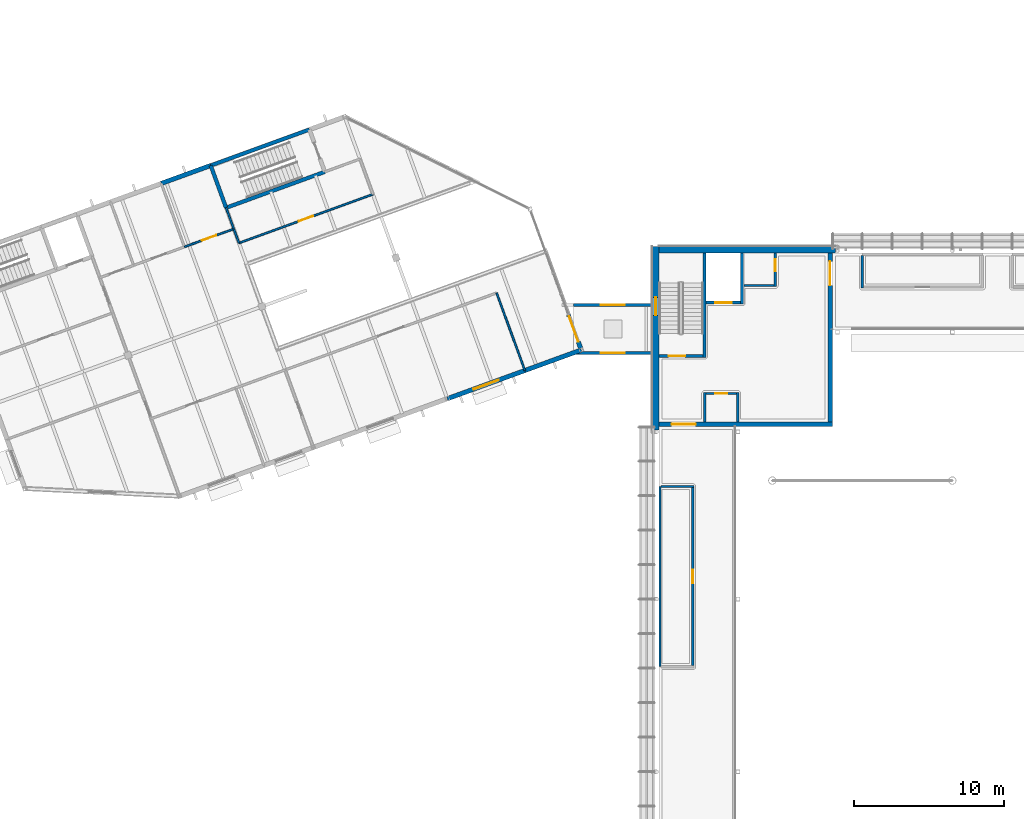
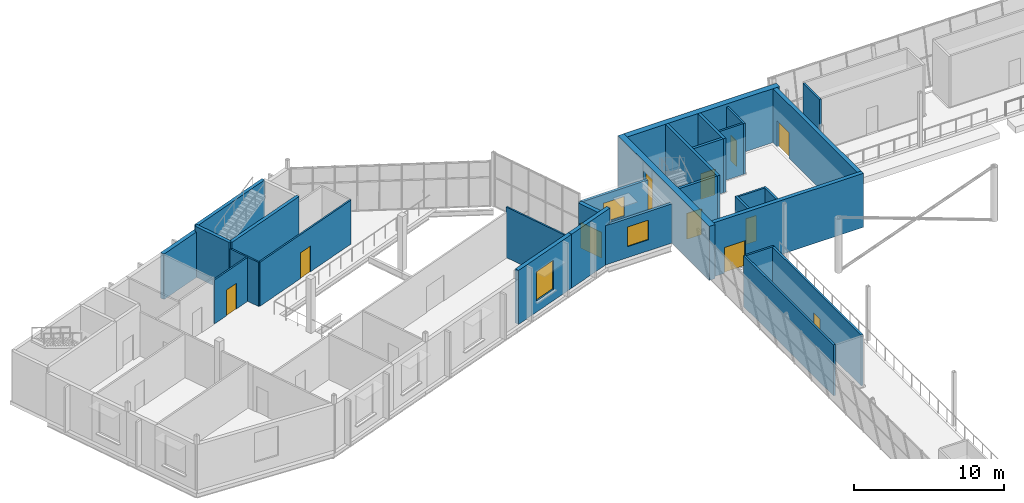
# One storey, part 71 of 115: 31 walls, 10 doors, 4 windows, 14 openings.
"""IFC4 building model written with IfcOpenShell, lengths in metres."""

from ifc_helpers import new_model, si_unit, direction, frame, frame_2d, origin, place, context, subcontext, project, spatial, rectangle, extrude, material, layer, layer_set, type_object, element, fill, save


model = new_model("IFC4")

# Units and contexts
model_context = context("Model", 3, precision=1e-05, world=origin(), true_north=direction((0.0, 1.0)))
body_context = subcontext(model_context, "Body", "Model", "MODEL_VIEW")
ifc_project = project(units=[si_unit("LENGTHUNIT", "METRE"), si_unit("AREAUNIT", "SQUARE_METRE"), si_unit("VOLUMEUNIT", "CUBIC_METRE"), si_unit("PLANEANGLEUNIT", "RADIAN"), si_unit("MASSUNIT", "GRAM", prefix="KILO")], contexts=[model_context])

# Site, building, storey
site_placement = place(None, origin())
site = spatial("IfcSite", under=ifc_project, at=site_placement, CompositionType="ELEMENT")
building_placement = place(site_placement, origin())
building = spatial("IfcBuilding", under=site, at=building_placement, Name="Windward Yard Aquatics Centre", CompositionType="ELEMENT")
storey_placement = place(building_placement, frame((0.0, 0.0, 5.0)))
storey = spatial("IfcBuildingStorey", under=building, at=storey_placement, Name="L01", CompositionType="ELEMENT", Elevation=5.0)

# Wall, opening, window
ifc_material_1 = material(Name="Concrete C35/45", Category="concrete")
ifc_layer_1 = layer(ifc_material_1, 0.199951171875)
ifc_layer_set_1 = layer_set([ifc_layer_1], Name="C link side wall 200")
wall_type_1 = type_object("IfcWallType", Name="C link side wall 200", PredefinedType="ELEMENTEDWALL", material=ifc_layer_set_1)
wall_1_placement = place(storey_placement, frame((46.765380859375, 92.10009765625, 0.0), z_axis=(0.0, 0.0, 1.0), x_axis=(1.0, 0.0, 0.0)))
wall_1 = element("IfcWall", 1, at=wall_1_placement, inside=storey, type_object=wall_type_1, Name="C.W.X.V3V1.L01.N", PredefinedType="ELEMENTEDWALL", context=body_context, shape_type="SweptSolid", body=[
    extrude(rectangle(XDim=5.234619140625, YDim=0.199951171875, at=frame_2d((2.6171875, 0.0))), origin(), (0.0, 0.0, 1.0), 3.199951171875),
])
opening_1_placement = place(wall_1_placement, frame((1.8173828125, 0.0, 0.89990234375)))
opening_1 = element("IfcOpeningElement", 2, at=opening_1_placement, cuts=wall_1, Name="Opening CW1043", PredefinedType="OPENING", context=body_context, shape_type="SweptSolid", body=[
    extrude(rectangle(XDim=1.60009765625, YDim=1.60009765625, at=frame_2d((0.800048828125, 0.800048828125))), frame((0.0, 0.10986328125, 0.0), z_axis=(0.0, -1.0, 0.0), x_axis=(1.0, 0.0, 0.0)), (0.0, 0.0, 1.0), 0.219970703125),
])
ifc_material_2 = material(Name="Aluminium framed double glazing", Category="aluminium")
window_type_1 = type_object("IfcWindowType", Name="C window 1600X1600", PartitioningType="SINGLE_PANEL", PredefinedType="WINDOW", material=ifc_material_2)
window_1_placement = place(opening_1_placement, origin())
window_1 = element("IfcWindow", 3, at=window_1_placement, inside=storey, type_object=window_type_1, Name="Window CW1043", OverallHeight=1.60009765625, OverallWidth=1.60009765625, PartitioningType="SINGLE_PANEL", PredefinedType="WINDOW", context=body_context, shape_type="SweptSolid", body=[
    extrude(rectangle(XDim=1.60009765625, YDim=1.60009765625, at=frame_2d((0.800048828125, 0.800048828125))), frame((0.0, 0.030029296875, 0.0), z_axis=(0.0, -1.0, 0.0), x_axis=(1.0, 0.0, 0.0)), (0.0, 0.0, 1.0), 0.06005859375),
])
fill(opening_1, window_1)

wall_2_placement = place(storey_placement, frame((46.765380859375, 88.89990234375, 0.0), z_axis=(0.0, 0.0, 1.0), x_axis=(1.0, 0.0, 0.0)))
wall_2 = element("IfcWall", 4, at=wall_2_placement, inside=storey, type_object=wall_type_1, Name="C.W.X.V3V1.L01.S", PredefinedType="ELEMENTEDWALL", context=body_context, shape_type="SweptSolid", body=[
    extrude(rectangle(XDim=5.234619140625, YDim=0.199951171875, at=frame_2d((2.6171875, 0.0))), origin(), (0.0, 0.0, 1.0), 3.199951171875),
])
opening_2_placement = place(wall_2_placement, frame((1.8173828125, 0.0, 0.89990234375)))
opening_2 = element("IfcOpeningElement", 5, at=opening_2_placement, cuts=wall_2, Name="Opening CW1044", PredefinedType="OPENING", context=body_context, shape_type="SweptSolid", body=[
    extrude(rectangle(XDim=1.60009765625, YDim=1.60009765625, at=frame_2d((0.800048828125, 0.800048828125))), frame((0.0, 0.10986328125, 0.0), z_axis=(0.0, -1.0, 0.0), x_axis=(1.0, 0.0, 0.0)), (0.0, 0.0, 1.0), 0.219970703125),
])
window_2_placement = place(opening_2_placement, origin())
window_2 = element("IfcWindow", 6, at=window_2_placement, inside=storey, type_object=window_type_1, Name="Window CW1044", OverallHeight=1.60009765625, OverallWidth=1.60009765625, PartitioningType="SINGLE_PANEL", PredefinedType="WINDOW", context=body_context, shape_type="SweptSolid", body=[
    extrude(rectangle(XDim=1.60009765625, YDim=1.60009765625, at=frame_2d((0.800048828125, 0.800048828125))), frame((0.0, 0.030029296875, 0.0), z_axis=(0.0, -1.0, 0.0), x_axis=(1.0, 0.0, 0.0)), (0.0, 0.0, 1.0), 0.06005859375),
])
fill(opening_2, window_2)

# Walls
ifc_material_3 = material(Name="Concrete C40/50", Category="concrete")
ifc_layer_2 = layer(ifc_material_3, 0.25)
ifc_layer_set_2 = layer_set([ifc_layer_2], Name="F core wall 250 Concrete C40/50")
wall_type_2 = type_object("IfcWallType", Name="F core wall 250 Concrete C40/50", PredefinedType="SOLIDWALL", material=ifc_layer_set_2)
wall_3_placement = place(storey_placement, frame((23.60595703125, 98.577880859375, 0.0), z_axis=(0.0, 0.0, 1.0), x_axis=(-0.342037080957, 0.939686455819, 0.0)))
element("IfcWall", 7, at=wall_3_placement, inside=storey, type_object=wall_type_2, Name="F.WL.L01.C05", PredefinedType="SOLIDWALL", context=body_context, shape_type="SweptSolid", body=[
    extrude(rectangle(XDim=3.0, YDim=0.25, at=frame_2d((1.5, 0.0))), origin(), (0.0, 0.0, 1.0), 4.1201171875),
])
wall_4_placement = place(storey_placement, frame((23.60595703125, 98.577880859375, 0.0), z_axis=(0.0, 0.0, 1.0), x_axis=(0.939693585395, 0.342017493073, 0.0)))
element("IfcWall", 8, at=wall_4_placement, inside=storey, type_object=wall_type_2, Name="F.WL.L01.C06", PredefinedType="SOLIDWALL", context=body_context, shape_type="SweptSolid", body=[
    extrude(rectangle(XDim=6.999755859375, YDim=0.25, at=frame_2d((3.5, 0.0))), origin(), (0.0, 0.0, 1.0), 4.1201171875),
])
wall_5_placement = place(storey_placement, frame((29.15771484375, 103.791015625, 0.0), z_axis=(0.0, 0.0, 1.0), x_axis=(-0.939697665127, -0.342006283793, 0.0)))
element("IfcWall", 9, at=wall_5_placement, inside=storey, type_object=wall_type_2, Name="F.WL.L01.X01", PredefinedType="SOLIDWALL", context=body_context, shape_type="SweptSolid", body=[
    extrude(rectangle(XDim=7.0, YDim=0.25, at=frame_2d((3.5, 0.0))), origin(), (0.0, 0.0, 1.0), 4.1201171875),
])

# Wall, opening, door
ifc_material_4 = material(Name="Gypsum board on steel studs", Category="steel")
ifc_layer_3 = layer(ifc_material_4, 0.125)
ifc_layer_set_3 = layer_set([ifc_layer_3], Name="F partition 125 gypsum board")
wall_type_3 = type_object("IfcWallType", Name="F partition 125 gypsum board", PredefinedType="PARTITIONING", material=ifc_layer_set_3)
wall_6_placement = place(storey_placement, frame((20.830078125, 95.97119140625, 0.0), z_axis=(0.0, 0.0, 1.0), x_axis=(0.939693585395, 0.342017493073, 0.0)))
wall_6 = element("IfcWall", 10, at=wall_6_placement, inside=storey, type_object=wall_type_3, Name="F.WL.L01.P014", PredefinedType="PARTITIONING", context=body_context, shape_type="SweptSolid", body=[
    extrude(rectangle(XDim=3.5, YDim=0.125, at=frame_2d((1.75, 0.0))), origin(), (0.0, 0.0, 1.0), 3.5869140625),
])
opening_3_placement = place(wall_6_placement, frame((1.25, 0.0, 0.0)))
opening_3 = element("IfcOpeningElement", 11, at=opening_3_placement, cuts=wall_6, Name="Opening F1011", PredefinedType="OPENING", context=body_context, shape_type="SweptSolid", body=[
    extrude(rectangle(XDim=1.0, YDim=2.10009765625, at=frame_2d((0.5, 1.050048828125))), frame((0.0, 0.072509765625, 0.0), z_axis=(0.0, -1.0, 0.0), x_axis=(1.0, 0.0, 0.0)), (0.0, 0.0, 1.0), 0.14501953125),
])
ifc_material_5 = material(Name="Timber, painted", Category="wood")
door_type_1 = type_object("IfcDoorType", Name="F door 1000x2100 timber", OperationType="SINGLE_SWING_LEFT", PredefinedType="DOOR", material=ifc_material_5)
door_1_placement = place(opening_3_placement, origin())
door_1 = element("IfcDoor", 12, at=door_1_placement, inside=storey, type_object=door_type_1, Name="WC Men door F1011", OperationType="SINGLE_SWING_RIGHT", OverallHeight=2.10009765625, OverallWidth=1.0, PredefinedType="DOOR", context=body_context, shape_type="SweptSolid", body=[
    extrude(rectangle(XDim=1.0, YDim=2.10009765625, at=frame_2d((0.5, 1.050048828125))), frame((0.0, 0.02490234375, 0.0), z_axis=(0.0, -1.0, 0.0), x_axis=(1.0, 0.0, 0.0)), (0.0, 0.0, 1.0), 0.050048828125),
])
fill(opening_3, door_1)

# Wall
wall_7_placement = place(storey_placement, frame((24.4609375, 96.228515625, 0.0), z_axis=(0.0, 0.0, 1.0), x_axis=(-0.342037080957, 0.939686455819, 0.0)))
element("IfcWall", 13, at=wall_7_placement, inside=storey, type_object=wall_type_3, Name="F.WL.L01.P016", PredefinedType="PARTITIONING", context=body_context, shape_type="SweptSolid", body=[
    extrude(rectangle(XDim=1.0, YDim=0.125, at=frame_2d((0.5, 0.0))), origin(), (0.0, 0.0, 1.0), 3.5869140625),
])

# Wall, opening, door
wall_8_placement = place(storey_placement, frame((24.4609375, 96.228515625, 0.0), z_axis=(0.0, 0.0, 1.0), x_axis=(0.939689082478, 0.342029864589, 0.0)))
wall_8 = element("IfcWall", 14, at=wall_8_placement, inside=storey, type_object=wall_type_3, Name="F.WL.L01.P017", PredefinedType="PARTITIONING", context=body_context, shape_type="SweptSolid", body=[
    extrude(rectangle(XDim=9.5, YDim=0.125, at=frame_2d((4.75, 0.0))), origin(), (0.0, 0.0, 1.0), 3.5869140625),
])
opening_4_placement = place(wall_8_placement, frame((4.25, 0.0, 0.0)))
opening_4 = element("IfcOpeningElement", 15, at=opening_4_placement, cuts=wall_8, Name="Opening F1013", PredefinedType="OPENING", context=body_context, shape_type="SweptSolid", body=[
    extrude(rectangle(XDim=1.0, YDim=2.10009765625, at=frame_2d((0.5, 1.050048828125))), frame((0.0, 0.072509765625, 0.0), z_axis=(0.0, -1.0, 0.0), x_axis=(1.0, 0.0, 0.0)), (0.0, 0.0, 1.0), 0.14501953125),
])
door_2_placement = place(opening_4_placement, origin())
door_2 = element("IfcDoor", 16, at=door_2_placement, inside=storey, type_object=door_type_1, Name="Community Room 4 door F1013", OperationType="SINGLE_SWING_RIGHT", OverallHeight=2.10009765625, OverallWidth=1.0, PredefinedType="DOOR", context=body_context, shape_type="SweptSolid", body=[
    extrude(rectangle(XDim=1.0, YDim=2.10009765625, at=frame_2d((0.5, 1.050048828125))), frame((0.0, 0.02490234375, 0.0), z_axis=(0.0, -1.0, 0.0), x_axis=(1.0, 0.0, 0.0)), (0.0, 0.0, 1.0), 0.050048828125),
])
fill(opening_4, door_2)

# Walls
wall_9_placement = place(storey_placement, frame((24.118896484375, 97.168212890625, 0.0), z_axis=(0.0, 0.0, 1.0), x_axis=(-0.341939069183, 0.9397221254, 0.0)))
element("IfcWall", 17, at=wall_9_placement, inside=storey, type_object=wall_type_3, Name="F.WL.L01.P018", PredefinedType="PARTITIONING", context=body_context, shape_type="SweptSolid", body=[
    extrude(rectangle(XDim=1.5, YDim=0.125, at=frame_2d((0.75, 0.0))), origin(), (0.0, 0.0, 1.0), 3.5869140625),
])
wall_10_placement = place(storey_placement, frame((43.515625, 87.7333984375, 0.0), z_axis=(0.0, 0.0, 1.0), x_axis=(-0.34202461616, 0.939690992795, 0.0)))
element("IfcWall", 18, at=wall_10_placement, inside=storey, type_object=wall_type_3, Name="F.WL.L01.P021", PredefinedType="PARTITIONING", context=body_context, shape_type="SweptSolid", body=[
    extrude(rectangle(XDim=5.5, YDim=0.125, at=frame_2d((2.75, 0.0))), origin(), (0.0, 0.0, 1.0), 4.1201171875),
])

# Wall, opening, window
ifc_material_6 = material(Name="Natural stone cladding", Category="masonry")
ifc_layer_4 = layer(ifc_material_6, 0.04, Name="Cladding")
ifc_material_7 = material(Name="Ventilated air cavity")
ifc_layer_5 = layer(ifc_material_7, 0.04, ventilated=True, Name="Ventilated cavity")
ifc_material_8 = material(Name="Mineral wool insulation")
ifc_layer_6 = layer(ifc_material_8, 0.06, Name="Insulation")
ifc_layer_7 = layer(ifc_material_3, 0.16, Name="Structure")
ifc_layer_set_4 = layer_set([ifc_layer_4, ifc_layer_5, ifc_layer_6, ifc_layer_7], Name="F stone-faced infill wall 300 Concrete C40/50")
wall_type_4 = type_object("IfcWallType", Name="F stone-faced infill wall 300 Concrete C40/50", PredefinedType="ELEMENTEDWALL", material=ifc_layer_set_4)
wall_11_placement = place(storey_placement, frame((38.347412109375, 85.852294921875, 0.0), z_axis=(0.0, 0.0, 1.0), x_axis=(0.939690992795, 0.34202461616, 0.0)))
wall_11 = element("IfcWall", 19, at=wall_11_placement, inside=storey, type_object=wall_type_4, Name="F.WL.L01.E05", PredefinedType="ELEMENTEDWALL", context=body_context, shape_type="SweptSolid", body=[
    extrude(rectangle(XDim=5.5, YDim=0.300048828125, at=frame_2d((2.75, 0.0))), origin(), (0.0, 0.0, 1.0), 4.39990234375),
])
opening_5_placement = place(wall_11_placement, frame((1.85009765625, 0.0, 0.89990234375)))
opening_5 = element("IfcOpeningElement", 20, at=opening_5_placement, cuts=wall_11, Name="Opening F1105", PredefinedType="OPENING", context=body_context, shape_type="SweptSolid", body=[
    extrude(rectangle(XDim=1.800048828125, YDim=2.39990234375, at=frame_2d((0.89990234375, 1.199951171875))), frame((0.0, 0.16015625, 0.0), z_axis=(0.0, -1.0, 0.0), x_axis=(1.0, 0.0, 0.0)), (0.0, 0.0, 1.0), 0.320068359375),
])
ifc_material_9 = material(Name="Aluminium frame with double glazing", Category="aluminium")
window_type_2 = type_object("IfcWindowType", Name="F window 1800x2400 double glazed", PartitioningType="SINGLE_PANEL", PredefinedType="WINDOW", material=ifc_material_9)
window_3_placement = place(opening_5_placement, origin())
window_3 = element("IfcWindow", 21, at=window_3_placement, inside=storey, type_object=window_type_2, Name="Window F1105", OverallHeight=2.39990234375, OverallWidth=1.800048828125, PartitioningType="SINGLE_PANEL", PredefinedType="WINDOW", context=body_context, shape_type="SweptSolid", body=[
    extrude(rectangle(XDim=1.800048828125, YDim=2.39990234375, at=frame_2d((0.89990234375, 1.199951171875))), frame((0.0, 0.030029296875, 0.0), z_axis=(0.0, -1.0, 0.0), x_axis=(1.0, 0.0, 0.0)), (0.0, 0.0, 1.0), 0.06005859375),
])
fill(opening_5, window_3)

# Walls
wall_12_placement = place(storey_placement, frame((43.515625, 87.7333984375, 0.0), z_axis=(0.0, 0.0, 1.0), x_axis=(0.939686455819, 0.342037080957, 0.0)))
element("IfcWall", 22, at=wall_12_placement, inside=storey, type_object=wall_type_4, Name="F.WL.L01.E06", PredefinedType="ELEMENTEDWALL", context=body_context, shape_type="SweptSolid", body=[
    extrude(rectangle(XDim=4.0, YDim=0.300048828125, at=frame_2d((2.0, 0.0))), origin(), (0.0, 0.0, 1.0), 4.39990234375),
])
wall_13_placement = place(storey_placement, frame((22.579833984375, 101.39697265625, 0.0), z_axis=(0.0, 0.0, 1.0), x_axis=(-0.939693585395, -0.342017493073, 0.0)))
element("IfcWall", 23, at=wall_13_placement, inside=storey, type_object=wall_type_4, Name="F.WL.L01.E08", PredefinedType="ELEMENTEDWALL", context=body_context, shape_type="SweptSolid", body=[
    extrude(rectangle(XDim=3.5, YDim=0.300048828125, at=frame_2d((1.75, 0.0))), origin(), (0.0, 0.0, 1.0), 3.702880859375),
])

# Wall, opening, door
wall_14_placement = place(storey_placement, frame((47.23095703125, 89.220703125, 0.0), z_axis=(0.0, 0.0, 1.0), x_axis=(-0.342008689597, 0.939696789523, 0.0)))
wall_14 = element("IfcWall", 24, at=wall_14_placement, inside=storey, type_object=wall_type_4, Name="F.WL.L01.BR", PredefinedType="ELEMENTEDWALL", context=body_context, shape_type="SweptSolid", body=[
    extrude(rectangle(XDim=2.361328125, YDim=0.300048828125, at=frame_2d((1.1806640625, 0.0))), origin(), (0.0, 0.0, 1.0), 3.702880859375),
])
opening_6_placement = place(wall_14_placement, frame((0.46142578125, 0.0, 0.0)))
opening_6 = element("IfcOpeningElement", 25, at=opening_6_placement, cuts=wall_14, Name="Opening F1001", PredefinedType="OPENING", context=body_context, shape_type="SweptSolid", body=[
    extrude(rectangle(XDim=1.800048828125, YDim=2.10009765625, at=frame_2d((0.89990234375, 1.050048828125))), frame((0.0, 0.16015625, 0.0), z_axis=(0.0, -1.0, 0.0), x_axis=(1.0, 0.0, 0.0)), (0.0, 0.0, 1.0), 0.320068359375),
])
ifc_material_10 = material(Name="Aluminium and toughened glass", Category="aluminium")
door_type_2 = type_object("IfcDoorType", Name="F glazed door 1800x2100 aluminium", OperationType="SINGLE_SWING_LEFT", PredefinedType="DOOR", material=ifc_material_10)
door_3_placement = place(opening_6_placement, origin())
door_3 = element("IfcDoor", 26, at=door_3_placement, inside=storey, type_object=door_type_2, Name="Bridge door F1001", OperationType="DOUBLE_DOOR_SINGLE_SWING", OverallHeight=2.10009765625, OverallWidth=1.800048828125, PredefinedType="DOOR", context=body_context, shape_type="SweptSolid", body=[
    extrude(rectangle(XDim=1.800048828125, YDim=2.10009765625, at=frame_2d((0.89990234375, 1.050048828125))), frame((0.0, 0.02490234375, 0.0), z_axis=(0.0, -1.0, 0.0), x_axis=(1.0, 0.0, 0.0)), (0.0, 0.0, 1.0), 0.050048828125),
])
fill(opening_6, door_3)

# Wall
ifc_layer_8 = layer(ifc_material_1, 0.199951171875)
ifc_layer_set_5 = layer_set([ifc_layer_8], Name="H Enclosure Wall Concrete C35/45 200")
wall_type_5 = type_object("IfcWallType", Name="H Enclosure Wall Concrete C35/45 200", PredefinedType="SOLIDWALL", material=ifc_layer_set_5)
wall_15_placement = place(storey_placement, frame((55.5, 95.550048828125, 0.0), z_axis=(0.0, 0.0, 1.0), x_axis=(0.0, -1.0, 0.0)))
element("IfcWall", 27, at=wall_15_placement, inside=storey, type_object=wall_type_5, Name="L01 W1 enclosure wall NW", PredefinedType="SOLIDWALL", context=body_context, shape_type="SweptSolid", body=[
    extrude(rectangle(XDim=6.949951171875, YDim=0.199951171875, at=frame_2d((3.47509765625, 0.0))), origin(), (0.0, 0.0, 1.0), 4.39990234375),
])

# Wall, opening, door
wall_16_placement = place(storey_placement, frame((52.449951171875, 88.699951171875, 0.0), z_axis=(0.0, 0.0, 1.0), x_axis=(1.0, 0.0, 0.0)))
wall_16 = element("IfcWall", 28, at=wall_16_placement, inside=storey, type_object=wall_type_5, Name="L01 W2 enclosure wall NW", PredefinedType="SOLIDWALL", context=body_context, shape_type="SweptSolid", body=[
    extrude(rectangle(XDim=2.949951171875, YDim=0.199951171875, at=frame_2d((1.47509765625, 0.0))), origin(), (0.0, 0.0, 1.0), 4.39990234375),
])
opening_7_placement = place(wall_16_placement, frame((0.64990234375, 0.0, 0.0)))
opening_7 = element("IfcOpeningElement", 29, at=opening_7_placement, cuts=wall_16, Name="Opening H1013", PredefinedType="OPENING", context=body_context, shape_type="SweptSolid", body=[
    extrude(rectangle(XDim=1.10009765625, YDim=2.10009765625, at=frame_2d((0.550048828125, 1.050048828125))), frame((0.0, 0.10986328125, 0.0), z_axis=(0.0, -1.0, 0.0), x_axis=(1.0, 0.0, 0.0)), (0.0, 0.0, 1.0), 0.219970703125),
])
ifc_material_11 = material(Name="Steel and timber door leaf", Category="steel")
door_type_3 = type_object("IfcDoorType", Name="H Door Single 1100 x 2100 FD60", OperationType="NOTDEFINED", PredefinedType="DOOR", material=ifc_material_11)
door_4_placement = place(opening_7_placement, origin())
door_4 = element("IfcDoor", 30, at=door_4_placement, inside=storey, type_object=door_type_3, Name="L01 stair NW door", OperationType="SINGLE_SWING_LEFT", OverallHeight=2.10009765625, OverallWidth=1.10009765625, PredefinedType="DOOR", context=body_context, shape_type="SweptSolid", body=[
    extrude(rectangle(XDim=1.10009765625, YDim=2.10009765625, at=frame_2d((0.550048828125, 1.050048828125))), frame((0.0, 0.02490234375, 0.0), z_axis=(0.0, -1.0, 0.0), x_axis=(1.0, 0.0, 0.0)), (0.0, 0.0, 1.0), 0.050048828125),
])
fill(opening_7, door_4)

# Wall
wall_17_placement = place(storey_placement, frame((58.0, 95.550048828125, 0.0), z_axis=(0.0, 0.0, 1.0), x_axis=(0.0, -1.0, 0.0)))
element("IfcWall", 31, at=wall_17_placement, inside=storey, type_object=wall_type_5, Name="L01 W3 enclosure wall NW", PredefinedType="SOLIDWALL", context=body_context, shape_type="SweptSolid", body=[
    extrude(rectangle(XDim=3.400146484375, YDim=0.199951171875, at=frame_2d((1.7001953125, 0.0))), origin(), (0.0, 0.0, 1.0), 4.39990234375),
])

# Wall, opening, door
wall_18_placement = place(storey_placement, frame((55.60009765625, 92.25, 0.0), z_axis=(0.0, 0.0, 1.0), x_axis=(1.0, 0.0, 0.0)))
wall_18 = element("IfcWall", 32, at=wall_18_placement, inside=storey, type_object=wall_type_5, Name="L01 W4 enclosure wall NW", PredefinedType="SOLIDWALL", context=body_context, shape_type="SweptSolid", body=[
    extrude(rectangle(XDim=2.2998046875, YDim=0.199951171875, at=frame_2d((1.14990234375, 0.0))), origin(), (0.0, 0.0, 1.0), 4.39990234375),
])
opening_8_placement = place(wall_18_placement, frame((0.60009765625, 0.0, 0.0)))
opening_8 = element("IfcOpeningElement", 33, at=opening_8_placement, cuts=wall_18, Name="Opening H1014", PredefinedType="OPENING", context=body_context, shape_type="SweptSolid", body=[
    extrude(rectangle(XDim=1.10009765625, YDim=2.10009765625, at=frame_2d((0.550048828125, 1.050048828125))), frame((0.0, 0.10986328125, 0.0), z_axis=(0.0, -1.0, 0.0), x_axis=(1.0, 0.0, 0.0)), (0.0, 0.0, 1.0), 0.219970703125),
])
ifc_material_12 = material(Name="Stainless steel 1.4301", Category="steel")
door_type_4 = type_object("IfcDoorType", Name="H Lift Landing Door 1100 x 2100", OperationType="DOUBLE_DOOR_SLIDING", PredefinedType="DOOR", material=ifc_material_12)
door_5_placement = place(opening_8_placement, origin())
door_5 = element("IfcDoor", 34, at=door_5_placement, inside=storey, type_object=door_type_4, Name="Lift NW landing door L01", OperationType="DOUBLE_DOOR_SLIDING", OverallHeight=2.10009765625, OverallWidth=1.10009765625, PredefinedType="DOOR", context=body_context, shape_type="SweptSolid", body=[
    extrude(rectangle(XDim=1.10009765625, YDim=2.10009765625, at=frame_2d((0.550048828125, 1.050048828125))), frame((0.0, 0.02490234375, 0.0), z_axis=(0.0, -1.0, 0.0), x_axis=(1.0, 0.0, 0.0)), (0.0, 0.0, 1.0), 0.050048828125),
])
fill(opening_8, door_5)

# Wall
ifc_material_13 = material(Name="Blockwork 150 mm", Category="masonry")
ifc_layer_9 = layer(ifc_material_13, 0.14990234375)
ifc_layer_set_6 = layer_set([ifc_layer_9], Name="H Partition Blockwork 150")
wall_type_6 = type_object("IfcWallType", Name="H Partition Blockwork 150", PredefinedType="PARTITIONING", material=ifc_layer_set_6)
wall_19_placement = place(storey_placement, frame((58.10009765625, 93.39990234375, 0.0), z_axis=(0.0, 0.0, 1.0), x_axis=(1.0, 0.0, 0.0)))
element("IfcWall", 35, at=wall_19_placement, inside=storey, type_object=wall_type_6, Name="L01 R1N riser wall NW", PredefinedType="PARTITIONING", context=body_context, shape_type="SweptSolid", body=[
    extrude(rectangle(XDim=2.02490234375, YDim=0.14990234375, at=frame_2d((1.012451171875, 0.0))), origin(), (0.0, 0.0, 1.0), 4.14990234375),
])

# Wall, opening, door
wall_20_placement = place(storey_placement, frame((60.199951171875, 95.550048828125, 0.0), z_axis=(0.0, 0.0, 1.0), x_axis=(0.0, -1.0, 0.0)))
wall_20 = element("IfcWall", 36, at=wall_20_placement, inside=storey, type_object=wall_type_6, Name="L01 R1E riser wall NW", PredefinedType="PARTITIONING", context=body_context, shape_type="SweptSolid", body=[
    extrude(rectangle(XDim=2.22509765625, YDim=0.14990234375, at=frame_2d((1.112548828125, 0.0))), origin(), (0.0, 0.0, 1.0), 4.14990234375),
])
opening_9_placement = place(wall_20_placement, frame((0.39990234375, 0.0, 0.0)))
opening_9 = element("IfcOpeningElement", 37, at=opening_9_placement, cuts=wall_20, Name="Opening H1015", PredefinedType="OPENING", context=body_context, shape_type="SweptSolid", body=[
    extrude(rectangle(XDim=0.800048828125, YDim=2.10009765625, at=frame_2d((0.39990234375, 1.050048828125))), frame((0.0, 0.0849609375, 0.0), z_axis=(0.0, -1.0, 0.0), x_axis=(1.0, 0.0, 0.0)), (0.0, 0.0, 1.0), 0.169921875),
])
door_type_5 = type_object("IfcDoorType", Name="H Door Riser 800 x 2100 FD60", OperationType="NOTDEFINED", PredefinedType="DOOR", material=ifc_material_11)
door_6_placement = place(opening_9_placement, origin())
door_6 = element("IfcDoor", 38, at=door_6_placement, inside=storey, type_object=door_type_5, Name="L01 electrical riser NW door", OperationType="SINGLE_SWING_RIGHT", OverallHeight=2.10009765625, OverallWidth=0.800048828125, PredefinedType="DOOR", context=body_context, shape_type="SweptSolid", body=[
    extrude(rectangle(XDim=0.800048828125, YDim=2.10009765625, at=frame_2d((0.39990234375, 1.050048828125))), frame((0.0, 0.02490234375, 0.0), z_axis=(0.0, -1.0, 0.0), x_axis=(1.0, 0.0, 0.0)), (0.0, 0.0, 1.0), 0.050048828125),
])
fill(opening_9, door_6)

wall_21_placement = place(storey_placement, frame((55.574951171875, 86.199951171875, 0.0), z_axis=(0.0, 0.0, 1.0), x_axis=(1.0, 0.0, 0.0)))
wall_21 = element("IfcWall", 39, at=wall_21_placement, inside=storey, type_object=wall_type_6, Name="L01 R2S riser wall NW", PredefinedType="PARTITIONING", context=body_context, shape_type="SweptSolid", body=[
    extrude(rectangle(XDim=2.050048828125, YDim=0.14990234375, at=frame_2d((1.02490234375, 0.0))), origin(), (0.0, 0.0, 1.0), 4.14990234375),
])
opening_10_placement = place(wall_21_placement, frame((0.625, 0.0, 0.0)))
opening_10 = element("IfcOpeningElement", 40, at=opening_10_placement, cuts=wall_21, Name="Opening H1016", PredefinedType="OPENING", context=body_context, shape_type="SweptSolid", body=[
    extrude(rectangle(XDim=0.800048828125, YDim=2.10009765625, at=frame_2d((0.39990234375, 1.050048828125))), frame((0.0, 0.0849609375, 0.0), z_axis=(0.0, -1.0, 0.0), x_axis=(1.0, 0.0, 0.0)), (0.0, 0.0, 1.0), 0.169921875),
])
door_7_placement = place(opening_10_placement, origin())
door_7 = element("IfcDoor", 41, at=door_7_placement, inside=storey, type_object=door_type_5, Name="L01 communications riser NW door", OperationType="SINGLE_SWING_LEFT", OverallHeight=2.10009765625, OverallWidth=0.800048828125, PredefinedType="DOOR", context=body_context, shape_type="SweptSolid", body=[
    extrude(rectangle(XDim=0.800048828125, YDim=2.10009765625, at=frame_2d((0.39990234375, 1.050048828125))), frame((0.0, 0.02490234375, 0.0), z_axis=(0.0, -1.0, 0.0), x_axis=(1.0, 0.0, 0.0)), (0.0, 0.0, 1.0), 0.050048828125),
])
fill(opening_10, door_7)

# Walls
for number, where, z_axis, x_axis, name in (
    (42, (55.5, 86.27490234375, 0.0), (0.0, 0.0, 1.0), (0.0, -1.0, 0.0), "L01 R2W riser wall NW"),
    (43, (57.699951171875, 86.27490234375, 0.0), (0.0, 0.0, 1.0), (0.0, -1.0, 0.0), "L01 R2E riser wall NW"),
):
    element("IfcWall", number, at=place(storey_placement, frame(where, z_axis=z_axis, x_axis=x_axis)), inside=storey, type_object=wall_type_6, Name=name, PredefinedType="PARTITIONING", context=body_context, shape_type="SweptSolid", body=[
        extrude(rectangle(XDim=1.974853515625, YDim=0.14990234375, at=frame_2d((0.9873046875, 0.0))), origin(), (0.0, 0.0, 1.0), 4.14990234375),
    ])
wall_22_placement = place(storey_placement, frame((66.0, 95.39990234375, 0.0), z_axis=(0.0, 0.0, 1.0), x_axis=(0.0, -1.0, 0.0)))
element("IfcWall", 44, at=wall_22_placement, inside=storey, type_object=wall_type_6, Name="L01 partition Ticket Office", PredefinedType="PARTITIONING", context=body_context, shape_type="SweptSolid", body=[
    extrude(rectangle(XDim=2.1748046875, YDim=0.14990234375, at=frame_2d((1.08740234375, 0.0))), origin(), (0.0, 0.0, 1.0), 4.14990234375),
])

# Wall, opening, door
wall_23_placement = place(storey_placement, frame((54.699951171875, 68.074951171875, 0.0), z_axis=(0.0, 0.0, 1.0), x_axis=(0.0, 1.0, 0.0)))
wall_23 = element("IfcWall", 45, at=wall_23_placement, inside=storey, type_object=wall_type_6, Name="L01 partition Kiosk", PredefinedType="PARTITIONING", context=body_context, shape_type="SweptSolid", body=[
    extrude(rectangle(XDim=11.85009765625, YDim=0.14990234375, at=frame_2d((5.925048828125, 0.0))), origin(), (0.0, 0.0, 1.0), 4.14990234375),
])
opening_11_placement = place(wall_23_placement, frame((5.47509765625, 0.0, 0.0)))
opening_11 = element("IfcOpeningElement", 46, at=opening_11_placement, cuts=wall_23, Name="Opening H1039", PredefinedType="OPENING", context=body_context, shape_type="SweptSolid", body=[
    extrude(rectangle(XDim=0.89990234375, YDim=2.10009765625, at=frame_2d((0.449951171875, 1.050048828125))), frame((0.0, 0.0849609375, 0.0), z_axis=(0.0, -1.0, 0.0), x_axis=(1.0, 0.0, 0.0)), (0.0, 0.0, 1.0), 0.169921875),
])
ifc_material_14 = material(Name="Timber door leaf", Category="wood")
door_type_6 = type_object("IfcDoorType", Name="H Door Single 900 x 2100 Not rated", OperationType="NOTDEFINED", PredefinedType="DOOR", material=ifc_material_14)
door_8_placement = place(opening_11_placement, origin())
door_8 = element("IfcDoor", 47, at=door_8_placement, inside=storey, type_object=door_type_6, Name="L01 Kiosk door", OperationType="SINGLE_SWING_LEFT", OverallHeight=2.10009765625, OverallWidth=0.89990234375, PredefinedType="DOOR", context=body_context, shape_type="SweptSolid", body=[
    extrude(rectangle(XDim=0.89990234375, YDim=2.10009765625, at=frame_2d((0.449951171875, 1.050048828125))), frame((0.0, 0.02490234375, 0.0), z_axis=(0.0, -1.0, 0.0), x_axis=(1.0, 0.0, 0.0)), (0.0, 0.0, 1.0), 0.050048828125),
])
fill(opening_11, door_8)

# Walls
wall_24_placement = place(storey_placement, frame((52.60009765625, 80.0, 0.0), z_axis=(0.0, 0.0, 1.0), x_axis=(1.0, 0.0, 0.0)))
element("IfcWall", 48, at=wall_24_placement, inside=storey, type_object=wall_type_6, Name="L01 partition Kiosk", PredefinedType="PARTITIONING", context=body_context, shape_type="SweptSolid", body=[
    extrude(rectangle(XDim=2.1748046875, YDim=0.14990234375, at=frame_2d((1.08740234375, 0.0))), origin(), (0.0, 0.0, 1.0), 4.14990234375),
])
wall_25_placement = place(storey_placement, frame((52.52490234375, 68.0, 0.0), z_axis=(0.0, 0.0, 1.0), x_axis=(0.0, 1.0, 0.0)))
element("IfcWall", 49, at=wall_25_placement, inside=storey, type_object=wall_type_6, Name="L01 wall Kiosk", PredefinedType="PARTITIONING", context=body_context, shape_type="SweptSolid", body=[
    extrude(rectangle(XDim=12.0, YDim=0.14990234375, at=frame_2d((6.0, 0.0))), origin(), (0.0, 0.0, 1.0), 4.14990234375),
])

# Wall, opening, window
ifc_layer_10 = layer(ifc_material_6, 0.04, Name="Cladding")
ifc_layer_11 = layer(ifc_material_7, 0.05, ventilated=True, Name="Ventilated cavity")
ifc_layer_12 = layer(ifc_material_8, 0.08, Name="Insulation")
ifc_layer_13 = layer(ifc_material_1, 0.28, Name="Structure")
ifc_layer_set_7 = layer_set([ifc_layer_10, ifc_layer_11, ifc_layer_12, ifc_layer_13], Name="H plinth wall stone faced 450 C35/45")
wall_type_7 = type_object("IfcWallType", Name="H plinth wall stone faced 450 C35/45", PredefinedType="ELEMENTEDWALL", material=ifc_layer_set_7)
wall_26_placement = place(storey_placement, frame((52.22509765625, 96.0, 0.0), z_axis=(0.0, 0.0, 1.0), x_axis=(0.0, -1.0, 0.0)))
wall_26 = element("IfcWall", 50, at=wall_26_placement, inside=storey, type_object=wall_type_7, Name="H.CW.NW.W.L01", PredefinedType="ELEMENTEDWALL", context=body_context, shape_type="SweptSolid", body=[
    extrude(rectangle(XDim=12.214111328125, YDim=0.449951171875, at=frame_2d((6.10693359375, 0.0))), origin(), (0.0, 0.0, 1.0), 4.39990234375),
])
opening_12_placement = place(wall_26_placement, frame((3.39990234375, 0.0, 0.60009765625)))
opening_12 = element("IfcOpeningElement", 51, at=opening_12_placement, cuts=wall_26, Name="Opening W1080", PredefinedType="OPENING", context=body_context, shape_type="SweptSolid", body=[
    extrude(rectangle(XDim=1.199951171875, YDim=3.0, at=frame_2d((0.60009765625, 1.5))), frame((0.0, 0.23486328125, 0.0), z_axis=(0.0, -1.0, 0.0), x_axis=(1.0, 0.0, 0.0)), (0.0, 0.0, 1.0), 0.469970703125),
])
ifc_material_15 = material(Name="Fire-resisting glazing in steel frame", Category="steel")
window_type_3 = type_object("IfcWindowType", Name="H Core Stair Window 1200 x 3000 EI 60", PartitioningType="SINGLE_PANEL", PredefinedType="WINDOW", material=ifc_material_15)
window_4_placement = place(opening_12_placement, origin())
window_4 = element("IfcWindow", 52, at=window_4_placement, inside=storey, type_object=window_type_3, Name="L01 core NW stair window", OverallHeight=3.0, OverallWidth=1.199951171875, PartitioningType="SINGLE_PANEL", PredefinedType="WINDOW", context=body_context, shape_type="SweptSolid", body=[
    extrude(rectangle(XDim=1.199951171875, YDim=3.0, at=frame_2d((0.60009765625, 1.5))), frame((0.0, 0.030029296875, 0.0), z_axis=(0.0, -1.0, 0.0), x_axis=(1.0, 0.0, 0.0)), (0.0, 0.0, 1.0), 0.06005859375),
])
fill(opening_12, window_4)

# Wall
wall_27_placement = place(storey_placement, frame((52.449951171875, 95.77490234375, 0.0), z_axis=(0.0, 0.0, 1.0), x_axis=(1.0, 0.0, 0.0)))
element("IfcWall", 53, at=wall_27_placement, inside=storey, type_object=wall_type_7, Name="H.CW.NW.N.L01", PredefinedType="ELEMENTEDWALL", context=body_context, shape_type="SweptSolid", body=[
    extrude(rectangle(XDim=11.76416015625, YDim=0.449951171875, at=frame_2d((5.882080078125, 0.0))), origin(), (0.0, 0.0, 1.0), 4.39990234375),
])

# Wall, opening, door
ifc_layer_14 = layer(ifc_material_1, 0.300048828125)
ifc_layer_set_8 = layer_set([ifc_layer_14], Name="H rear wall 300 C35/45")
wall_type_8 = type_object("IfcWallType", Name="H rear wall 300 C35/45", PredefinedType="SOLIDWALL", material=ifc_layer_set_8)
wall_28_placement = place(storey_placement, frame((63.85009765625, 95.550048828125, 0.0), z_axis=(0.0, 0.0, 1.0), x_axis=(0.0, -1.0, 0.0)))
wall_28 = element("IfcWall", 54, at=wall_28_placement, inside=storey, type_object=wall_type_8, Name="H.CW.NW.E.L01", PredefinedType="SOLIDWALL", context=body_context, shape_type="SweptSolid", body=[
    extrude(rectangle(XDim=11.25, YDim=0.300048828125, at=frame_2d((5.625, 0.0))), origin(), (0.0, 0.0, 1.0), 4.39990234375),
])
opening_13_placement = place(wall_28_placement, frame((0.550048828125, 0.0, 0.0)))
opening_13 = element("IfcOpeningElement", 55, at=opening_13_placement, cuts=wall_28, Name="Opening H1017", PredefinedType="OPENING", context=body_context, shape_type="SweptSolid", body=[
    extrude(rectangle(XDim=1.60009765625, YDim=2.10009765625, at=frame_2d((0.800048828125, 1.050048828125))), frame((0.0, 0.16015625, 0.0), z_axis=(0.0, -1.0, 0.0), x_axis=(1.0, 0.0, 0.0)), (0.0, 0.0, 1.0), 0.320068359375),
])
door_type_7 = type_object("IfcDoorType", Name="H Door Double 1600 x 2100 FD60", OperationType="DOUBLE_DOOR_SINGLE_SWING", PredefinedType="DOOR", material=ifc_material_11)
door_9_placement = place(opening_13_placement, origin())
door_9 = element("IfcDoor", 56, at=door_9_placement, inside=storey, type_object=door_type_7, Name="L01 core NW door to strip", OperationType="DOUBLE_DOOR_SINGLE_SWING", OverallHeight=2.10009765625, OverallWidth=1.60009765625, PredefinedType="DOOR", context=body_context, shape_type="SweptSolid", body=[
    extrude(rectangle(XDim=1.60009765625, YDim=2.10009765625, at=frame_2d((0.800048828125, 1.050048828125))), frame((0.0, 0.02490234375, 0.0), z_axis=(0.0, -1.0, 0.0), x_axis=(1.0, 0.0, 0.0)), (0.0, 0.0, 1.0), 0.050048828125),
])
fill(opening_13, door_9)

wall_29_placement = place(storey_placement, frame((52.449951171875, 84.14990234375, 0.0), z_axis=(0.0, 0.0, 1.0), x_axis=(1.0, 0.0, 0.0)))
wall_29 = element("IfcWall", 57, at=wall_29_placement, inside=storey, type_object=wall_type_8, Name="H.CW.NW.S.L01", PredefinedType="SOLIDWALL", context=body_context, shape_type="SweptSolid", body=[
    extrude(rectangle(XDim=11.550048828125, YDim=0.300048828125, at=frame_2d((5.77490234375, 0.0))), origin(), (0.0, 0.0, 1.0), 4.39990234375),
])
opening_14_placement = place(wall_29_placement, frame((0.85009765625, 0.0, 0.0)))
opening_14 = element("IfcOpeningElement", 58, at=opening_14_placement, cuts=wall_29, Name="Opening H1018", PredefinedType="OPENING", context=body_context, shape_type="SweptSolid", body=[
    extrude(rectangle(XDim=1.60009765625, YDim=2.10009765625, at=frame_2d((0.800048828125, 1.050048828125))), frame((0.0, 0.16015625, 0.0), z_axis=(0.0, -1.0, 0.0), x_axis=(1.0, 0.0, 0.0)), (0.0, 0.0, 1.0), 0.320068359375),
])
door_10_placement = place(opening_14_placement, origin())
door_10 = element("IfcDoor", 59, at=door_10_placement, inside=storey, type_object=door_type_7, Name="L01 core NW door to gable", OperationType="DOUBLE_DOOR_SINGLE_SWING", OverallHeight=2.10009765625, OverallWidth=1.60009765625, PredefinedType="DOOR", context=body_context, shape_type="SweptSolid", body=[
    extrude(rectangle(XDim=1.60009765625, YDim=2.10009765625, at=frame_2d((0.800048828125, 1.050048828125))), frame((0.0, 0.02490234375, 0.0), z_axis=(0.0, -1.0, 0.0), x_axis=(1.0, 0.0, 0.0)), (0.0, 0.0, 1.0), 0.050048828125),
])
fill(opening_14, door_10)

save(model, "model.ifc")
